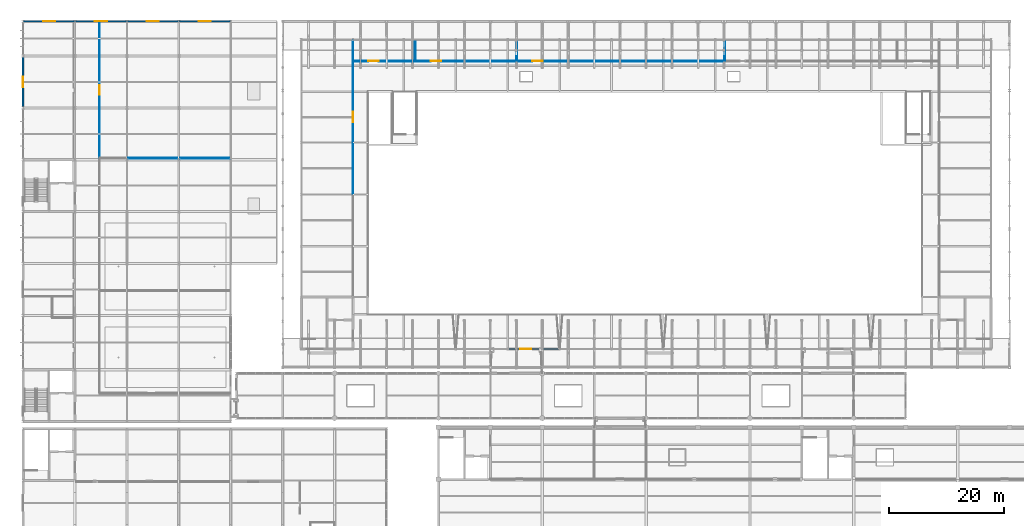
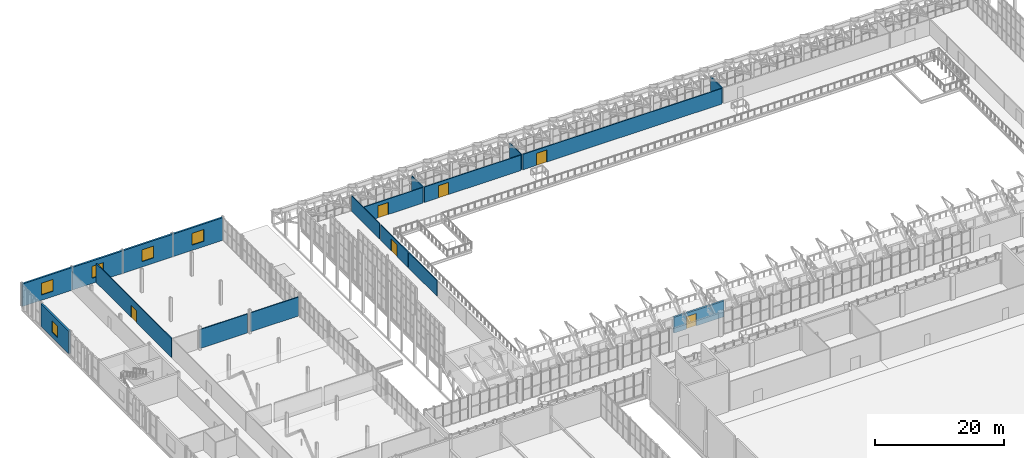
# One storey, part 115 of 134: 18 walls, 6 doors, 5 windows, 11 openings.
"""IFC4 building model written with IfcOpenShell, lengths in metres."""

from ifc_helpers import new_model, si_unit, direction, frame, frame_2d, origin, place, context, subcontext, project, spatial, rectangle, extrude, material, layer, layer_set, type_object, element, fill, save


model = new_model("IFC4")

# Units and contexts
model_context = context("Model", 3, precision=1e-05, world=origin(), true_north=direction((0.0, 1.0)))
body_context = subcontext(model_context, "Body", "Model", "MODEL_VIEW")
ifc_project = project(units=[si_unit("LENGTHUNIT", "METRE"), si_unit("AREAUNIT", "SQUARE_METRE"), si_unit("VOLUMEUNIT", "CUBIC_METRE"), si_unit("PLANEANGLEUNIT", "RADIAN"), si_unit("MASSUNIT", "GRAM", prefix="KILO")], contexts=[model_context])

# Site, building, storey
site_placement = place(None, origin())
site = spatial("IfcSite", under=ifc_project, at=site_placement, CompositionType="ELEMENT")
building_placement = place(site_placement, origin())
building = spatial("IfcBuilding", under=site, at=building_placement, Name="Cazmaro Siding Exhibition Halls", CompositionType="ELEMENT")
storey_placement = place(building_placement, frame((0.0, 0.0, 12.0)))
storey = spatial("IfcBuildingStorey", under=building, at=storey_placement, Name="L02", CompositionType="ELEMENT", Elevation=12.0)

# Wall, opening, door
ifc_material_1 = material(Name="Concrete f'c 45 MPa", Category="concrete")
ifc_layer_1 = layer(ifc_material_1, 0.320068359375)
ifc_layer_set_1 = layer_set([ifc_layer_1], Name="Concrete f'c 45 MPa")
wall_type_1 = type_object("IfcWallType", Name="EW-01", PredefinedType="STANDARD", material=ifc_layer_set_1)
wall_1_placement = place(storey_placement, frame((92.988037109375, 67.199951171875, 0.0), z_axis=(0.0, 0.0, 1.0), x_axis=(-1.0, 0.0, 0.0)))
wall_1 = element("IfcWall", 1, at=wall_1_placement, inside=storey, type_object=wall_type_1, Name="Hall A Bridge Portal Wall L02 EW-01 WL-E0011", PredefinedType="STANDARD", context=body_context, shape_type="SweptSolid", body=[
    extrude(rectangle(XDim=8.97607421875, YDim=0.320068359375, at=frame_2d((4.488037109375, 0.0))), origin(), (0.0, 0.0, 1.0), 3.0),
])
opening_1_placement = place(wall_1_placement, frame((4.93798828125, 0.0, 0.0)))
opening_1 = element("IfcOpeningElement", 2, at=opening_1_placement, cuts=wall_1, Name="Opening D-E005", PredefinedType="OPENING", context=body_context, shape_type="SweptSolid", body=[
    extrude(rectangle(XDim=1.85009765625, YDim=2.35009765625, at=frame_2d((0.925048828125, 1.175048828125))), frame((0.0, 0.169921875, 0.0), z_axis=(0.0, -1.0, 0.0), x_axis=(1.0, 0.0, 0.0)), (0.0, 0.0, 1.0), 0.340087890625),
])
ifc_material_2 = material(Name="Anodized Bronze Glazed Entrance Door", Category="aluminium")
door_type_1 = type_object("IfcDoorType", Name="ED-03", OperationType="DOUBLE_DOOR_SINGLE_SWING", PredefinedType="DOOR", material=ifc_material_2)
door_1_placement = place(opening_1_placement, origin())
door_1 = element("IfcDoor", 3, at=door_1_placement, inside=storey, type_object=door_type_1, Name="Exterior door D-E005 (ED-03)", OperationType="DOUBLE_DOOR_SINGLE_SWING", OverallHeight=2.35009765625, OverallWidth=1.85009765625, PredefinedType="DOOR", context=body_context, shape_type="SweptSolid", body=[
    extrude(rectangle(XDim=1.85009765625, YDim=2.35009765625, at=frame_2d((0.925048828125, 1.175048828125))), frame((0.0, 0.02490234375, 0.0), z_axis=(0.0, -1.0, 0.0), x_axis=(1.0, 0.0, 0.0)), (0.0, 0.0, 1.0), 0.050048828125),
])
fill(opening_1, door_1)

# Wall, opening, window
wall_2_placement = place(storey_placement, frame((0.0, 109.194091796875, 0.0), z_axis=(0.0, 0.0, 1.0), x_axis=(0.0, 1.0, 0.0)))
wall_2 = element("IfcWall", 4, at=wall_2_placement, inside=storey, type_object=wall_type_1, Name="West Wing Street Pier Wall L02 EW-01 WL-E0284", PredefinedType="STANDARD", context=body_context, shape_type="SweptSolid", body=[
    extrude(rectangle(XDim=8.61181640625, YDim=0.320068359375, at=frame_2d((4.305908203125, 0.0))), origin(), (0.0, 0.0, 1.0), 4.280029296875),
])
opening_2_placement = place(wall_2_placement, frame((3.406005859375, 0.0, 1.0)))
opening_2 = element("IfcOpeningElement", 5, at=opening_2_placement, cuts=wall_2, Name="Opening W-091", PredefinedType="OPENING", context=body_context, shape_type="SweptSolid", body=[
    extrude(rectangle(XDim=1.800048828125, YDim=2.14990234375, at=frame_2d((0.89990234375, 1.074951171875))), frame((0.0, 0.169921875, 0.0), z_axis=(0.0, -1.0, 0.0), x_axis=(1.0, 0.0, 0.0)), (0.0, 0.0, 1.0), 0.340087890625),
])
ifc_material_3 = material(Name="Thermally Broken Aluminum Low-E Window Unit", Category="aluminium")
window_type_1 = type_object("IfcWindowType", Name="WT-13", PartitioningType="SINGLE_PANEL", PredefinedType="WINDOW", material=ifc_material_3)
window_1_placement = place(opening_2_placement, origin())
window_1 = element("IfcWindow", 6, at=window_1_placement, inside=storey, type_object=window_type_1, Name="Window W-091 (WT-13)", OverallHeight=2.14990234375, OverallWidth=1.800048828125, PartitioningType="SINGLE_PANEL", PredefinedType="WINDOW", context=body_context, shape_type="SweptSolid", body=[
    extrude(rectangle(XDim=1.800048828125, YDim=2.14990234375, at=frame_2d((0.89990234375, 1.074951171875))), frame((0.0, 0.030029296875, 0.0), z_axis=(0.0, -1.0, 0.0), x_axis=(1.0, 0.0, 0.0)), (0.0, 0.0, 1.0), 0.06005859375),
])
fill(opening_2, window_1)

wall_3_placement = place(storey_placement, frame((0.01904296875, 124.0, 0.0), z_axis=(0.0, 0.0, 1.0), x_axis=(1.0, 0.0, 0.0)))
wall_3 = element("IfcWall", 7, at=wall_3_placement, inside=storey, type_object=wall_type_1, Name="West Wing North Facade Wall L02 EW-01 WL-E0289", PredefinedType="STANDARD", context=body_context, shape_type="SweptSolid", body=[
    extrude(rectangle(XDim=8.9619140625, YDim=0.320068359375, at=frame_2d((4.48095703125, 0.0))), origin(), (0.0, 0.0, 1.0), 4.280029296875),
])
opening_3_placement = place(wall_3_placement, frame((3.430908203125, 0.0, 1.0)))
opening_3 = element("IfcOpeningElement", 8, at=opening_3_placement, cuts=wall_3, Name="Opening W-092", PredefinedType="OPENING", context=body_context, shape_type="SweptSolid", body=[
    extrude(rectangle(XDim=2.10009765625, YDim=2.25, at=frame_2d((1.050048828125, 1.125))), frame((0.0, 0.169921875, 0.0), z_axis=(0.0, -1.0, 0.0), x_axis=(1.0, 0.0, 0.0)), (0.0, 0.0, 1.0), 0.340087890625),
])
ifc_material_4 = material(Name="Thermally Broken Aluminum Low-E Window Unit", Category="aluminium")
window_type_2 = type_object("IfcWindowType", Name="WT-05", PartitioningType="SINGLE_PANEL", PredefinedType="WINDOW", material=ifc_material_4)
window_2_placement = place(opening_3_placement, origin())
window_2 = element("IfcWindow", 9, at=window_2_placement, inside=storey, type_object=window_type_2, Name="Window W-092 (WT-05)", OverallHeight=2.25, OverallWidth=2.10009765625, PartitioningType="SINGLE_PANEL", PredefinedType="WINDOW", context=body_context, shape_type="SweptSolid", body=[
    extrude(rectangle(XDim=2.10009765625, YDim=2.25, at=frame_2d((1.050048828125, 1.125))), frame((0.0, 0.030029296875, 0.0), z_axis=(0.0, -1.0, 0.0), x_axis=(1.0, 0.0, 0.0)), (0.0, 0.0, 1.0), 0.06005859375),
])
fill(opening_3, window_2)

wall_4_placement = place(storey_placement, frame((9.01904296875, 124.0, 0.0), z_axis=(0.0, 0.0, 1.0), x_axis=(1.0, 0.0, 0.0)))
wall_4 = element("IfcWall", 10, at=wall_4_placement, inside=storey, type_object=wall_type_1, Name="West Wing North Facade Wall L02 EW-01 WL-E0290", PredefinedType="STANDARD", context=body_context, shape_type="SweptSolid", body=[
    extrude(rectangle(XDim=8.9619140625, YDim=0.320068359375, at=frame_2d((4.48095703125, 0.0))), origin(), (0.0, 0.0, 1.0), 4.280029296875),
])
opening_4_placement = place(wall_4_placement, frame((3.430908203125, 0.0, 1.0)))
opening_4 = element("IfcOpeningElement", 11, at=opening_4_placement, cuts=wall_4, Name="Opening W-093", PredefinedType="OPENING", context=body_context, shape_type="SweptSolid", body=[
    extrude(rectangle(XDim=2.10009765625, YDim=2.25, at=frame_2d((1.050048828125, 1.125))), frame((0.0, 0.169921875, 0.0), z_axis=(0.0, -1.0, 0.0), x_axis=(1.0, 0.0, 0.0)), (0.0, 0.0, 1.0), 0.340087890625),
])
window_3_placement = place(opening_4_placement, origin())
window_3 = element("IfcWindow", 12, at=window_3_placement, inside=storey, type_object=window_type_2, Name="Window W-093 (WT-05)", OverallHeight=2.25, OverallWidth=2.10009765625, PartitioningType="SINGLE_PANEL", PredefinedType="WINDOW", context=body_context, shape_type="SweptSolid", body=[
    extrude(rectangle(XDim=2.10009765625, YDim=2.25, at=frame_2d((1.050048828125, 1.125))), frame((0.0, 0.030029296875, 0.0), z_axis=(0.0, -1.0, 0.0), x_axis=(1.0, 0.0, 0.0)), (0.0, 0.0, 1.0), 0.06005859375),
])
fill(opening_4, window_3)

wall_5_placement = place(storey_placement, frame((18.01904296875, 124.0, 0.0), z_axis=(0.0, 0.0, 1.0), x_axis=(1.0, 0.0, 0.0)))
wall_5 = element("IfcWall", 13, at=wall_5_placement, inside=storey, type_object=wall_type_1, Name="West Wing North Facade Wall L02 EW-01 WL-E0291", PredefinedType="STANDARD", context=body_context, shape_type="SweptSolid", body=[
    extrude(rectangle(XDim=8.9619140625, YDim=0.320068359375, at=frame_2d((4.48095703125, 0.0))), origin(), (0.0, 0.0, 1.0), 4.280029296875),
])
opening_5_placement = place(wall_5_placement, frame((3.430908203125, 0.0, 1.0)))
opening_5 = element("IfcOpeningElement", 14, at=opening_5_placement, cuts=wall_5, Name="Opening W-094", PredefinedType="OPENING", context=body_context, shape_type="SweptSolid", body=[
    extrude(rectangle(XDim=2.10009765625, YDim=2.25, at=frame_2d((1.050048828125, 1.125))), frame((0.0, 0.169921875, 0.0), z_axis=(0.0, -1.0, 0.0), x_axis=(1.0, 0.0, 0.0)), (0.0, 0.0, 1.0), 0.340087890625),
])
window_4_placement = place(opening_5_placement, origin())
window_4 = element("IfcWindow", 15, at=window_4_placement, inside=storey, type_object=window_type_2, Name="Window W-094 (WT-05)", OverallHeight=2.25, OverallWidth=2.10009765625, PartitioningType="SINGLE_PANEL", PredefinedType="WINDOW", context=body_context, shape_type="SweptSolid", body=[
    extrude(rectangle(XDim=2.10009765625, YDim=2.25, at=frame_2d((1.050048828125, 1.125))), frame((0.0, 0.030029296875, 0.0), z_axis=(0.0, -1.0, 0.0), x_axis=(1.0, 0.0, 0.0)), (0.0, 0.0, 1.0), 0.06005859375),
])
fill(opening_5, window_4)

wall_6_placement = place(storey_placement, frame((27.01904296875, 124.0, 0.0), z_axis=(0.0, 0.0, 1.0), x_axis=(1.0, 0.0, 0.0)))
wall_6 = element("IfcWall", 16, at=wall_6_placement, inside=storey, type_object=wall_type_1, Name="West Wing North Facade Wall L02 EW-01 WL-E0292", PredefinedType="STANDARD", context=body_context, shape_type="SweptSolid", body=[
    extrude(rectangle(XDim=8.9619140625, YDim=0.320068359375, at=frame_2d((4.48095703125, 0.0))), origin(), (0.0, 0.0, 1.0), 4.280029296875),
])
opening_6_placement = place(wall_6_placement, frame((3.430908203125, 0.0, 1.0)))
opening_6 = element("IfcOpeningElement", 17, at=opening_6_placement, cuts=wall_6, Name="Opening W-095", PredefinedType="OPENING", context=body_context, shape_type="SweptSolid", body=[
    extrude(rectangle(XDim=2.10009765625, YDim=2.25, at=frame_2d((1.050048828125, 1.125))), frame((0.0, 0.169921875, 0.0), z_axis=(0.0, -1.0, 0.0), x_axis=(1.0, 0.0, 0.0)), (0.0, 0.0, 1.0), 0.340087890625),
])
window_5_placement = place(opening_6_placement, origin())
window_5 = element("IfcWindow", 18, at=window_5_placement, inside=storey, type_object=window_type_2, Name="Window W-095 (WT-05)", OverallHeight=2.25, OverallWidth=2.10009765625, PartitioningType="SINGLE_PANEL", PredefinedType="WINDOW", context=body_context, shape_type="SweptSolid", body=[
    extrude(rectangle(XDim=2.10009765625, YDim=2.25, at=frame_2d((1.050048828125, 1.125))), frame((0.0, 0.030029296875, 0.0), z_axis=(0.0, -1.0, 0.0), x_axis=(1.0, 0.0, 0.0)), (0.0, 0.0, 1.0), 0.06005859375),
])
fill(opening_6, window_5)

# Wall, opening, door
ifc_material_5 = material(Name="Fire-Rated Gypsum Board on Cold-Formed Steel Studs", Category="steel")
ifc_layer_2 = layer(ifc_material_5, 0.14501953125)
ifc_layer_set_2 = layer_set([ifc_layer_2], Name="Fire-Rated Gypsum Board on Cold-Formed Steel Studs")
wall_type_2 = type_object("IfcWallType", Name="PW-01", PredefinedType="PARTITIONING", material=ifc_layer_set_2)
wall_7_placement = place(storey_placement, frame((13.25, 100.3798828125, 0.0), z_axis=(0.0, 0.0, 1.0), x_axis=(0.0, 1.0, 0.0)))
wall_7 = element("IfcWall", 19, at=wall_7_placement, inside=storey, type_object=wall_type_2, Name="West Wing East Corridor Wall L02 PW-01 WL-I0245", PredefinedType="PARTITIONING", context=body_context, shape_type="SweptSolid", body=[
    extrude(rectangle(XDim=23.3701171875, YDim=0.14501953125, at=frame_2d((11.68505859375, 0.0))), origin(), (0.0, 0.0, 1.0), 3.60009765625),
])
opening_7_placement = place(wall_7_placement, frame((10.860107421875, 0.0, 0.0)))
opening_7 = element("IfcOpeningElement", 20, at=opening_7_placement, cuts=wall_7, Name="Opening D-I116", PredefinedType="OPENING", context=body_context, shape_type="SweptSolid", body=[
    extrude(rectangle(XDim=1.64990234375, YDim=2.25, at=frame_2d((0.824951171875, 1.125))), frame((0.0, 0.08251953125, 0.0), z_axis=(0.0, -1.0, 0.0), x_axis=(1.0, 0.0, 0.0)), (0.0, 0.0, 1.0), 0.1650390625),
])
ifc_material_6 = material(Name="Fire-Rated Painted Hollow Metal Door", Category="steel")
door_type_2 = type_object("IfcDoorType", Name="ID-05", OperationType="DOUBLE_DOOR_SINGLE_SWING", PredefinedType="DOOR", material=ifc_material_6)
door_2_placement = place(opening_7_placement, origin())
door_2 = element("IfcDoor", 21, at=door_2_placement, inside=storey, type_object=door_type_2, Name="Interior door D-I116 (ID-05)", OperationType="DOUBLE_DOOR_SINGLE_SWING", OverallHeight=2.25, OverallWidth=1.64990234375, PredefinedType="DOOR", context=body_context, shape_type="SweptSolid", body=[
    extrude(rectangle(XDim=1.64990234375, YDim=2.25, at=frame_2d((0.824951171875, 1.125))), frame((0.0, 0.02490234375, 0.0), z_axis=(0.0, -1.0, 0.0), x_axis=(1.0, 0.0, 0.0)), (0.0, 0.0, 1.0), 0.050048828125),
])
fill(opening_7, door_2)

wall_8_placement = place(storey_placement, frame((57.35009765625, 117.10009765625, 0.0), z_axis=(0.0, 0.0, 1.0), x_axis=(1.0, 0.0, 0.0)))
wall_8 = element("IfcWall", 22, at=wall_8_placement, inside=storey, type_object=wall_type_2, Name="Hall A North Gallery Corridor Wall L02 PW-01 WL-I0304", PredefinedType="PARTITIONING", context=body_context, shape_type="SweptSolid", body=[
    extrude(rectangle(XDim=10.5, YDim=0.14501953125, at=frame_2d((5.25, 0.0))), origin(), (0.0, 0.0, 1.0), 2.949951171875),
])
opening_8_placement = place(wall_8_placement, frame((2.5, 0.0, 0.0)))
opening_8 = element("IfcOpeningElement", 23, at=opening_8_placement, cuts=wall_8, Name="Opening D-I145", PredefinedType="OPENING", context=body_context, shape_type="SweptSolid", body=[
    extrude(rectangle(XDim=1.800048828125, YDim=2.300048828125, at=frame_2d((0.89990234375, 1.14990234375))), frame((0.0, 0.08251953125, 0.0), z_axis=(0.0, -1.0, 0.0), x_axis=(1.0, 0.0, 0.0)), (0.0, 0.0, 1.0), 0.1650390625),
])
ifc_material_7 = material(Name="Fire-Rated Painted Hollow Metal Door", Category="steel")
door_type_3 = type_object("IfcDoorType", Name="ID-02", OperationType="DOUBLE_DOOR_SINGLE_SWING", PredefinedType="DOOR", material=ifc_material_7)
door_3_placement = place(opening_8_placement, origin())
door_3 = element("IfcDoor", 24, at=door_3_placement, inside=storey, type_object=door_type_3, Name="Interior door D-I145 (ID-02)", OperationType="DOUBLE_DOOR_SINGLE_SWING", OverallHeight=2.300048828125, OverallWidth=1.800048828125, PredefinedType="DOOR", context=body_context, shape_type="SweptSolid", body=[
    extrude(rectangle(XDim=1.800048828125, YDim=2.300048828125, at=frame_2d((0.89990234375, 1.14990234375))), frame((0.0, 0.02490234375, 0.0), z_axis=(0.0, -1.0, 0.0), x_axis=(1.0, 0.0, 0.0)), (0.0, 0.0, 1.0), 0.050048828125),
])
fill(opening_8, door_3)

wall_9_placement = place(storey_placement, frame((68.14990234375, 117.10009765625, 0.0), z_axis=(0.0, 0.0, 1.0), x_axis=(1.0, 0.0, 0.0)))
wall_9 = element("IfcWall", 25, at=wall_9_placement, inside=storey, type_object=wall_type_2, Name="Hall A North Gallery Corridor Wall L02 PW-01 WL-I0305", PredefinedType="PARTITIONING", context=body_context, shape_type="SweptSolid", body=[
    extrude(rectangle(XDim=17.300048828125, YDim=0.14501953125, at=frame_2d((8.64990234375, 0.0))), origin(), (0.0, 0.0, 1.0), 2.949951171875),
])
opening_9_placement = place(wall_9_placement, frame((2.5, 0.0, 0.0)))
opening_9 = element("IfcOpeningElement", 26, at=opening_9_placement, cuts=wall_9, Name="Opening D-I146", PredefinedType="OPENING", context=body_context, shape_type="SweptSolid", body=[
    extrude(rectangle(XDim=1.800048828125, YDim=2.300048828125, at=frame_2d((0.89990234375, 1.14990234375))), frame((0.0, 0.08251953125, 0.0), z_axis=(0.0, -1.0, 0.0), x_axis=(1.0, 0.0, 0.0)), (0.0, 0.0, 1.0), 0.1650390625),
])
door_4_placement = place(opening_9_placement, origin())
door_4 = element("IfcDoor", 27, at=door_4_placement, inside=storey, type_object=door_type_3, Name="Interior door D-I146 (ID-02)", OperationType="DOUBLE_DOOR_SINGLE_SWING", OverallHeight=2.300048828125, OverallWidth=1.800048828125, PredefinedType="DOOR", context=body_context, shape_type="SweptSolid", body=[
    extrude(rectangle(XDim=1.800048828125, YDim=2.300048828125, at=frame_2d((0.89990234375, 1.14990234375))), frame((0.0, 0.02490234375, 0.0), z_axis=(0.0, -1.0, 0.0), x_axis=(1.0, 0.0, 0.0)), (0.0, 0.0, 1.0), 0.050048828125),
])
fill(opening_9, door_4)

wall_10_placement = place(storey_placement, frame((85.75, 117.10009765625, 0.0), z_axis=(0.0, 0.0, 1.0), x_axis=(1.0, 0.0, 0.0)))
wall_10 = element("IfcWall", 28, at=wall_10_placement, inside=storey, type_object=wall_type_2, Name="Hall A North Gallery Corridor Wall L02 PW-01 WL-I0306", PredefinedType="PARTITIONING", context=body_context, shape_type="SweptSolid", body=[
    extrude(rectangle(XDim=35.699951171875, YDim=0.14501953125, at=frame_2d((17.85009765625, 0.0))), origin(), (0.0, 0.0, 1.0), 2.949951171875),
])
opening_10_placement = place(wall_10_placement, frame((2.5, 0.0, 0.0)))
opening_10 = element("IfcOpeningElement", 29, at=opening_10_placement, cuts=wall_10, Name="Opening D-I147", PredefinedType="OPENING", context=body_context, shape_type="SweptSolid", body=[
    extrude(rectangle(XDim=1.800048828125, YDim=2.300048828125, at=frame_2d((0.89990234375, 1.14990234375))), frame((0.0, 0.08251953125, 0.0), z_axis=(0.0, -1.0, 0.0), x_axis=(1.0, 0.0, 0.0)), (0.0, 0.0, 1.0), 0.1650390625),
])
door_5_placement = place(opening_10_placement, origin())
door_5 = element("IfcDoor", 30, at=door_5_placement, inside=storey, type_object=door_type_3, Name="Interior door D-I147 (ID-02)", OperationType="DOUBLE_DOOR_SINGLE_SWING", OverallHeight=2.300048828125, OverallWidth=1.800048828125, PredefinedType="DOOR", context=body_context, shape_type="SweptSolid", body=[
    extrude(rectangle(XDim=1.800048828125, YDim=2.300048828125, at=frame_2d((0.89990234375, 1.14990234375))), frame((0.0, 0.02490234375, 0.0), z_axis=(0.0, -1.0, 0.0), x_axis=(1.0, 0.0, 0.0)), (0.0, 0.0, 1.0), 0.050048828125),
])
fill(opening_10, door_5)

# Wall
wall_11_placement = place(storey_placement, frame((57.199951171875, 94.126953125, 0.0), z_axis=(0.0, 0.0, 1.0), x_axis=(0.0, 1.0, 0.0)))
element("IfcWall", 31, at=wall_11_placement, inside=storey, type_object=wall_type_2, Name="Hall A West Mezzanine Lounge Wall L02 PW-01 WL-I0317", PredefinedType="PARTITIONING", context=body_context, shape_type="SweptSolid", body=[
    extrude(rectangle(XDim=8.74609375, YDim=0.14501953125, at=frame_2d((4.373046875, 0.0))), origin(), (0.0, 0.0, 1.0), 2.949951171875),
])

# Wall, opening, door
wall_12_placement = place(storey_placement, frame((57.199951171875, 103.126953125, 0.0), z_axis=(0.0, 0.0, 1.0), x_axis=(0.0, 1.0, 0.0)))
wall_12 = element("IfcWall", 32, at=wall_12_placement, inside=storey, type_object=wall_type_2, Name="Hall A West Mezzanine Lounge Wall L02 PW-01 WL-I0319", PredefinedType="PARTITIONING", context=body_context, shape_type="SweptSolid", body=[
    extrude(rectangle(XDim=8.525146484375, YDim=0.14501953125, at=frame_2d((4.2626953125, 0.0))), origin(), (0.0, 0.0, 1.0), 2.949951171875),
])
opening_11_placement = place(wall_12_placement, frame((3.363037109375, 0.0, 0.0)))
opening_11 = element("IfcOpeningElement", 33, at=opening_11_placement, cuts=wall_12, Name="Opening D-I152", PredefinedType="OPENING", context=body_context, shape_type="SweptSolid", body=[
    extrude(rectangle(XDim=1.800048828125, YDim=2.300048828125, at=frame_2d((0.89990234375, 1.14990234375))), frame((0.0, 0.08251953125, 0.0), z_axis=(0.0, -1.0, 0.0), x_axis=(1.0, 0.0, 0.0)), (0.0, 0.0, 1.0), 0.1650390625),
])
door_6_placement = place(opening_11_placement, origin())
door_6 = element("IfcDoor", 34, at=door_6_placement, inside=storey, type_object=door_type_3, Name="Interior door D-I152 (ID-02)", OperationType="DOUBLE_DOOR_SINGLE_SWING", OverallHeight=2.300048828125, OverallWidth=1.800048828125, PredefinedType="DOOR", context=body_context, shape_type="SweptSolid", body=[
    extrude(rectangle(XDim=1.800048828125, YDim=2.300048828125, at=frame_2d((0.89990234375, 1.14990234375))), frame((0.0, 0.02490234375, 0.0), z_axis=(0.0, -1.0, 0.0), x_axis=(1.0, 0.0, 0.0)), (0.0, 0.0, 1.0), 0.050048828125),
])
fill(opening_11, door_6)

# Walls
wall_13_placement = place(storey_placement, frame((57.199951171875, 111.947998046875, 0.0), z_axis=(0.0, 0.0, 1.0), x_axis=(0.0, 1.0, 0.0)))
element("IfcWall", 35, at=wall_13_placement, inside=storey, type_object=wall_type_2, Name="Hall A West Mezzanine Lounge Wall L02 PW-01 WL-I0321", PredefinedType="PARTITIONING", context=body_context, shape_type="SweptSolid", body=[
    extrude(rectangle(XDim=8.7041015625, YDim=0.14501953125, at=frame_2d((4.35205078125, 0.0))), origin(), (0.0, 0.0, 1.0), 2.949951171875),
])
ifc_material_8 = material(Name="Moisture-Resistant Gypsum Board on Acoustic Steel Studs", Category="steel")
ifc_layer_3 = layer(ifc_material_8, 0.1650390625)
ifc_layer_set_3 = layer_set([ifc_layer_3], Name="Moisture-Resistant Gypsum Board on Acoustic Steel Studs")
wall_type_3 = type_object("IfcWallType", Name="PW-02", PredefinedType="PARTITIONING", material=ifc_layer_set_3)
wall_14_placement = place(storey_placement, frame((18.25, 100.300048828125, 0.0), z_axis=(0.0, 0.0, 1.0), x_axis=(1.0, 0.0, 0.0)))
element("IfcWall", 36, at=wall_14_placement, inside=storey, type_object=wall_type_3, Name="West Wing East Room Divider L02 PW-02 WL-I0250", PredefinedType="PARTITIONING", context=body_context, shape_type="SweptSolid", body=[
    extrude(rectangle(XDim=8.5, YDim=0.1650390625, at=frame_2d((4.25, 0.0))), origin(), (0.0, 0.0, 1.0), 3.60009765625),
])
wall_15_placement = place(storey_placement, frame((27.25, 100.300048828125, 0.0), z_axis=(0.0, 0.0, 1.0), x_axis=(1.0, 0.0, 0.0)))
element("IfcWall", 37, at=wall_15_placement, inside=storey, type_object=wall_type_3, Name="West Wing East Room Divider L02 PW-02 WL-I0251", PredefinedType="PARTITIONING", context=body_context, shape_type="SweptSolid", body=[
    extrude(rectangle(XDim=8.68994140625, YDim=0.1650390625, at=frame_2d((4.344970703125, 0.0))), origin(), (0.0, 0.0, 1.0), 3.60009765625),
])
for number, where, z_axis, x_axis, name in (
    (38, (68.0, 117.199951171875, 0.0), (0.0, 0.0, 1.0), (0.0, 1.0, 0.0), "Hall A North Room Divider L02 PW-02 WL-I0309"),
    (39, (85.60009765625, 117.199951171875, 0.0), (0.0, 0.0, 1.0), (0.0, 1.0, 0.0), "Hall A North Room Divider L02 PW-02 WL-I0310"),
    (40, (121.60009765625, 117.199951171875, 0.0), (0.0, 0.0, 1.0), (0.0, 1.0, 0.0), "Hall A North Room Divider L02 PW-02 WL-I0311"),
):
    element("IfcWall", number, at=place(storey_placement, frame(where, z_axis=z_axis, x_axis=x_axis)), inside=storey, type_object=wall_type_3, Name=name, PredefinedType="PARTITIONING", context=body_context, shape_type="SweptSolid", body=[
        extrude(rectangle(XDim=3.52001953125, YDim=0.1650390625, at=frame_2d((1.760009765625, 0.0))), origin(), (0.0, 0.0, 1.0), 2.949951171875),
    ])

save(model, "model.ifc")
